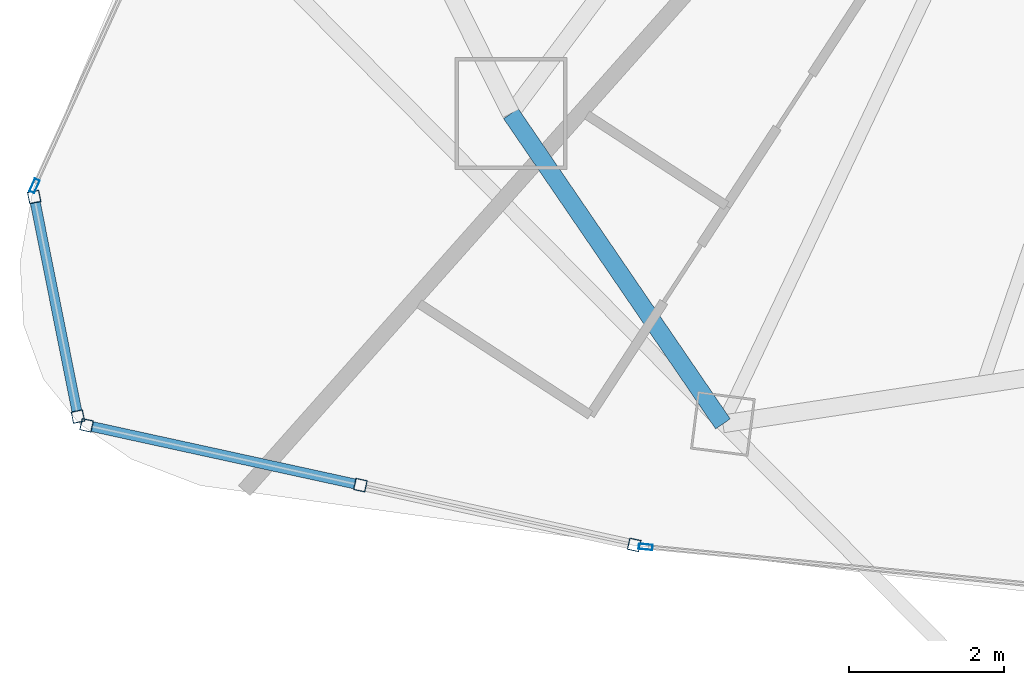
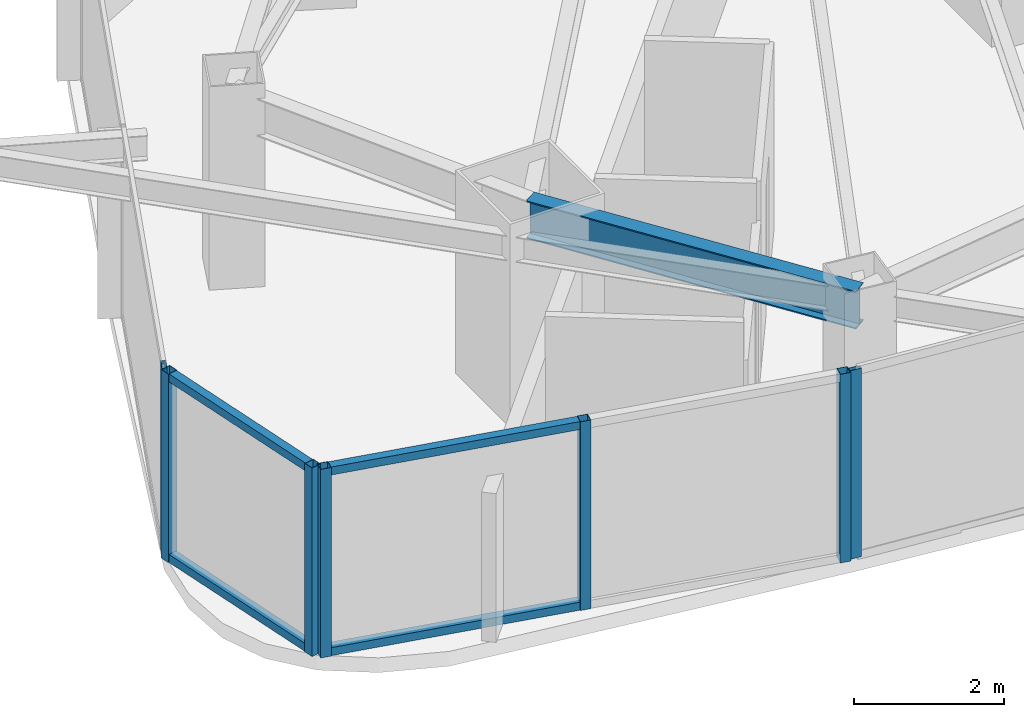
# One storey, part 2 of 31: 11 members, 1 beam, 4 elements without a shape of their own.
"""IFC4 building model written with IfcOpenShell, lengths in metres."""

import ifcopenshell
import ifcopenshell.guid

model = None  # the IFC model being written
_history = None  # IfcOwnerHistory: only IFC2X3 demands one
_inside = {}  # id of a spatial element -> (the spatial element, [elements in it])
_under = {}  # id of a project, library or spatial element -> (it, [spatial elements below it])
_declared = {}  # id of a project -> (the project, [libraries it declares])
_typed = {}  # id of a type object -> (the type object, [elements of that type])
_made_of = {}  # id of a material, layer set ... -> (it, [elements and type objects made of it])


def new_model(schema):
    """Start an empty IFC model of exactly this schema.

    Asked for "IFC4X3", IfcOpenShell would pick the latest addendum, in which some entities
    have other attributes; the version numbers below select the first issue.
    IFC2X3 requires an IfcOwnerHistory on every rooted entity: one is made here for all.
    """
    global model, _history
    if schema == "IFC4X3":
        model = ifcopenshell.file(schema_version=(4, 3, 0, 0))
    else:
        model = ifcopenshell.file(schema=schema)
    _inside.clear()
    _under.clear()
    _declared.clear()
    _typed.clear()
    _made_of.clear()
    _history = None
    if model.schema == "IFC2X3":
        org = make("IfcOrganization", Name="unknown")
        user = make(
            "IfcPersonAndOrganization",
            ThePerson=make("IfcPerson", FamilyName="unknown"),
            TheOrganization=org,
        )
        app = make(
            "IfcApplication",
            ApplicationDeveloper=org,
            Version="unknown",
            ApplicationFullName="unknown",
            ApplicationIdentifier="unknown",
        )
        _history = make(
            "IfcOwnerHistory",
            OwningUser=user,
            OwningApplication=app,
            ChangeAction="ADDED",
            CreationDate=0,
        )
    return model


def make(cls, **values):
    """One entity of the class cls with the attributes given. An attribute that is None is left unset."""
    return model.create_entity(
        cls, **{name: value for name, value in values.items() if value is not None}
    )


def rooted(cls, **values):
    """An entity with a GlobalId (a new one), such as an element, a storey or a relation."""
    return make(cls, GlobalId=ifcopenshell.guid.new(), OwnerHistory=_history, **values)


def si_unit(unit_type, name, prefix=None):
    """IfcSIUnit, for example si_unit("LENGTHUNIT", "METRE", prefix="MILLI")."""
    return make("IfcSIUnit", UnitType=unit_type, Prefix=prefix, Name=name)


def assignment(units):
    """IfcUnitAssignment: the units of a project."""
    return None if units is None else make("IfcUnitAssignment", Units=units)


def point(xyz):
    """IfcCartesianPoint."""
    return None if xyz is None else make("IfcCartesianPoint", Coordinates=xyz)


def direction(xyz):
    """IfcDirection."""
    return None if xyz is None else make("IfcDirection", DirectionRatios=xyz)


def frame(location, z_axis=None, x_axis=None):
    """IfcAxis2Placement3D, a coordinate frame: its origin and axes. An axis left out is left unset."""
    return make(
        "IfcAxis2Placement3D",
        Location=point(location),
        Axis=direction(z_axis),
        RefDirection=direction(x_axis),
    )


def frame_2d(location, x_axis=None):
    """IfcAxis2Placement2D, a coordinate frame in the plane: its origin and x axis."""
    return make(
        "IfcAxis2Placement2D", Location=point(location), RefDirection=direction(x_axis)
    )


def origin():
    """The frame at (0, 0, 0) with its axes left unset."""
    return frame((0.0, 0.0, 0.0))


def origin_2d():
    """The frame at (0, 0) in the plane with its x axis left unset."""
    return frame_2d((0.0, 0.0))


def place(relative_to, where):
    """IfcLocalPlacement: puts the frame where relative to a parent placement (None: the world)."""
    return make(
        "IfcLocalPlacement", PlacementRelTo=relative_to, RelativePlacement=where
    )


def context(
    kind, dimensions, precision=None, world=None, true_north=None, identifier=None
):
    """IfcGeometricRepresentationContext, for example the 3D "Model" context."""
    return make(
        "IfcGeometricRepresentationContext",
        ContextIdentifier=identifier,
        ContextType=kind,
        CoordinateSpaceDimension=dimensions,
        Precision=precision,
        WorldCoordinateSystem=world,
        TrueNorth=true_north,
    )


def subcontext(parent, identifier, kind, view, scale=None):
    """IfcGeometricRepresentationSubContext, for example "Body" below "Model"."""
    return make(
        "IfcGeometricRepresentationSubContext",
        ContextIdentifier=identifier,
        ContextType=kind,
        ParentContext=parent,
        TargetScale=scale,
        TargetView=view,
    )


def project(units=None, contexts=None):
    """IfcProject with its units and contexts."""
    return rooted(
        "IfcProject",
        Name="project",
        RepresentationContexts=contexts,
        UnitsInContext=assignment(units),
    )


def spatial(cls, under=None, at=None, **own):
    """A site, building, storey or space (cls), placed at a placement, below another one or the project."""
    s = rooted(cls, ObjectPlacement=at, **own)
    if under is not None:
        _under.setdefault(under.id(), (under, []))[1].append(s)
    return s


def profile(cls, at=None, kind="AREA", **sizes):
    """A parametric profile (cls). Its sizes go by their IFC names, for example OverallWidth=200.0."""
    return make(cls, ProfileType=kind, Position=at, **sizes)


def hollow_rectangle(**sizes):
    """IfcRectangleHollowProfileDef."""
    return profile("IfcRectangleHollowProfileDef", **sizes)


def i_section(**sizes):
    """IfcIShapeProfileDef."""
    return profile("IfcIShapeProfileDef", **sizes)


def extrude(swept, where, along, depth):
    """IfcExtrudedAreaSolid: the profile swept, set in the frame where, extruded along a direction by depth."""
    return make(
        "IfcExtrudedAreaSolid",
        SweptArea=swept,
        Position=where,
        ExtrudedDirection=direction(along),
        Depth=depth,
    )


def shape(context_of_items, identifier, shape_type, items):
    """IfcShapeRepresentation: the items that make up one representation, for example the "Body"."""
    return make(
        "IfcShapeRepresentation",
        ContextOfItems=context_of_items,
        RepresentationIdentifier=identifier,
        RepresentationType=shape_type,
        Items=items,
    )


def material(Name=None, Category=None):
    """IfcMaterial."""
    return make("IfcMaterial", Name=Name, Category=Category)


def layer(
    of_material, thickness, ventilated=None, Name=None, Category=None, Priority=None
):
    """IfcMaterialLayer: one layer of a wall or slab, of a material (None: an air gap)."""
    return make(
        "IfcMaterialLayer",
        Material=of_material,
        LayerThickness=thickness,
        IsVentilated=ventilated,
        Name=Name,
        Category=Category,
        Priority=Priority,
    )


def layer_set(layers, Name=None):
    """IfcMaterialLayerSet."""
    return make("IfcMaterialLayerSet", MaterialLayers=layers, LayerSetName=Name)


def material_profile(
    of_material, cross_section, Name=None, Category=None, Priority=None
):
    """IfcMaterialProfile: a cross section and its material."""
    return make(
        "IfcMaterialProfile",
        Name=Name,
        Material=of_material,
        Profile=cross_section,
        Priority=Priority,
        Category=Category,
    )


def profile_set(profiles, Name=None, composite=None):
    """IfcMaterialProfileSet."""
    return make(
        "IfcMaterialProfileSet",
        Name=Name,
        MaterialProfiles=profiles,
        CompositeProfile=composite,
    )


def made_of(thing, what):
    """Note that an element or type object is made of a material, layer set ...; save() writes the relation."""
    if what is not None:
        _made_of.setdefault(what.id(), (what, []))[1].append(thing)
    return thing


def type_object(cls, material=None, **own):
    """A type object (cls), such as IfcWallType, which elements share."""
    return made_of(rooted(cls, **own), material)


def element(
    cls,
    number,
    at=None,
    inside=None,
    cuts=None,
    type_object=None,
    material=None,
    context=None,
    identifier="Body",
    shape_type=None,
    held_by="IfcProductDefinitionShape",
    body=None,
    shapes=None,
    **own,
):
    """One element of the class cls, such as IfcWall. Its Tag is "e" and its number.

    at: its placement. inside: the storey or other place that contains it. cuts: it is an
    opening in that element (IfcRelVoidsElement). A single representation is given by context,
    identifier, shape_type and body (its items); several are given by shapes. held_by: the class
    of the entity that holds the representations. save() writes the other relations.
    """
    e = rooted(cls, Tag="e%d" % number, ObjectPlacement=at, **own)
    if body is not None:
        shapes = [shape(context, identifier, shape_type, body)]
    if shapes is not None:
        e.Representation = make(held_by, Representations=shapes)
    if inside is not None:
        _inside.setdefault(inside.id(), (inside, []))[1].append(e)
    if cuts is not None:
        rooted(
            "IfcRelVoidsElement", RelatingBuildingElement=cuts, RelatedOpeningElement=e
        )
    if type_object is not None:
        _typed.setdefault(type_object.id(), (type_object, []))[1].append(e)
    return made_of(e, material)


def aggregate(whole, parts):
    """IfcRelAggregates: a whole, such as a stair, and the parts it consists of."""
    return rooted("IfcRelAggregates", RelatingObject=whole, RelatedObjects=parts)


def save(model, path):
    """Write the relations noted so far, then the file.

    IfcRelAggregates (storeys below a building ...), IfcRelContainedInSpatialStructure (elements
    in a storey), IfcRelDefinesByType, IfcRelAssociatesMaterial and IfcRelDeclares: one each for
    every whole, place, type object, material and project.
    """
    for whole, parts in _under.values():
        aggregate(whole, parts)
    for where, things in _inside.values():
        rooted(
            "IfcRelContainedInSpatialStructure",
            RelatedElements=things,
            RelatingStructure=where,
        )
    for kind, things in _typed.values():
        rooted("IfcRelDefinesByType", RelatedObjects=things, RelatingType=kind)
    for what, things in _made_of.values():
        rooted("IfcRelAssociatesMaterial", RelatedObjects=things, RelatingMaterial=what)
    for by, libraries in _declared.values():
        rooted("IfcRelDeclares", RelatingContext=by, RelatedDefinitions=libraries)
    model.write(path)


model = new_model("IFC4")

# Units and contexts
model_context = context("Model", 3, precision=1e-05, world=origin(), true_north=direction((0.0, 1.0)))
body_context = subcontext(model_context, "Body", "Model", "MODEL_VIEW")
ifc_project = project(units=[si_unit("LENGTHUNIT", "METRE"), si_unit("AREAUNIT", "SQUARE_METRE"), si_unit("VOLUMEUNIT", "CUBIC_METRE"), si_unit("PLANEANGLEUNIT", "RADIAN"), si_unit("MASSUNIT", "GRAM", prefix="KILO")], contexts=[model_context])

# Site, building, storey
site_placement = place(None, origin())
site = spatial("IfcSite", under=ifc_project, at=site_placement, CompositionType="ELEMENT")
building_placement = place(site_placement, origin())
building = spatial("IfcBuilding", under=site, at=building_placement, Name="Orvanel Arch Residences", CompositionType="ELEMENT")
storey_placement = place(building_placement, frame((0.0, 0.0, 153.949951171875)))
storey = spatial("IfcBuildingStorey", under=building, at=storey_placement, Name="L43", CompositionType="ELEMENT", Elevation=153.949951171875)

# Curtain wall, members
ifc_material_1 = material(Name="Bronze-anodised aluminium AA6063-T6", Category="aluminium")
ifc_layer_1 = layer(ifc_material_1, 0.18994140625)
ifc_layer_set_1 = layer_set([ifc_layer_1], Name="Bronze-anodised aluminium AA6063-T6")
curtain_wall_type_1 = type_object("IfcCurtainWallType", Name="CW5-CRN-SYS", PredefinedType="NOTDEFINED", material=ifc_layer_set_1)
curtain_wall_1_placement = place(storey_placement, origin())
curtain_wall_1 = element("IfcCurtainWall", 1, at=curtain_wall_1_placement, inside=storey, type_object=curtain_wall_type_1, Name="L43 CW5-CRN-SYS Unitised Curtain Wall", PredefinedType="NOTDEFINED")
ifc_material_profile_1 = material_profile(ifc_material_1, hollow_rectangle(XDim=0.14990234375, YDim=0.14990234375, WallThickness=0.0048828125, at=origin_2d()), Name="ALU150x150x5")
ifc_profile_set_1 = profile_set([ifc_material_profile_1], Name="Bronze-anodised aluminium AA6063-T6")
member_type_1 = type_object("IfcMemberType", Name="MUL-150x150", PredefinedType="MULLION", material=ifc_profile_set_1)
member_1_placement = place(storey_placement, frame((8.03466796875, 9.2734375, 0.0), z_axis=(0.0, 0.0, 1.0), x_axis=(0.980731921459, 0.195358384081, 0.0)))
member_1 = element("IfcMember", 2, at=member_1_placement, type_object=member_type_1, Name="CW-S5 mullion 1", PredefinedType="MULLION", context=body_context, shape_type="SweptSolid", body=[
    extrude(hollow_rectangle(XDim=0.14990234375, YDim=0.14990234375, WallThickness=0.0048828125, at=origin_2d()), origin(), (0.0, 0.0, 1.0), 3.06005859375),
])
member_2_placement = place(storey_placement, frame((8.600341796875, 6.43359375, 0.0), z_axis=(0.0, 0.0, 1.0), x_axis=(0.980731921459, 0.195358384081, 0.0)))
member_2 = element("IfcMember", 3, at=member_2_placement, type_object=member_type_1, Name="CW-S5 mullion 2", PredefinedType="MULLION", context=body_context, shape_type="SweptSolid", body=[
    extrude(hollow_rectangle(XDim=0.14990234375, YDim=0.14990234375, WallThickness=0.0048828125, at=origin_2d()), origin(), (0.0, 0.0, 1.0), 3.06005859375),
])

curtain_wall_2_placement = place(storey_placement, origin())
curtain_wall_2 = element("IfcCurtainWall", 4, at=curtain_wall_2_placement, inside=storey, type_object=curtain_wall_type_1, Name="L43 CW5-CRN-SYS Unitised Curtain Wall", PredefinedType="NOTDEFINED")
member_3_placement = place(storey_placement, frame((8.712158203125, 6.320068359375, 0.0), z_axis=(0.0, 0.0, 1.0), x_axis=(0.213293752637, 0.976988114097, 0.0)))
member_3 = element("IfcMember", 5, at=member_3_placement, type_object=member_type_1, Name="CW-S5 mullion 1", PredefinedType="MULLION", context=body_context, shape_type="SweptSolid", body=[
    extrude(hollow_rectangle(XDim=0.14990234375, YDim=0.14990234375, WallThickness=0.0048828125, at=origin_2d()), origin(), (0.0, 0.0, 1.0), 3.06005859375),
])
member_4_placement = place(storey_placement, frame((12.2529296875, 5.547119140625, 0.0), z_axis=(0.0, 0.0, 1.0), x_axis=(0.213293752637, 0.976988114097, 0.0)))
member_4 = element("IfcMember", 6, at=member_4_placement, type_object=member_type_1, Name="CW-S5 mullion 2", PredefinedType="MULLION", context=body_context, shape_type="SweptSolid", body=[
    extrude(hollow_rectangle(XDim=0.14990234375, YDim=0.14990234375, WallThickness=0.0048828125, at=origin_2d()), origin(), (0.0, 0.0, 1.0), 3.06005859375),
])
member_5_placement = place(storey_placement, frame((15.793701171875, 4.77392578125, 0.0), z_axis=(0.0, 0.0, 1.0), x_axis=(0.213293752637, 0.976988114097, 0.0)))
member_5 = element("IfcMember", 7, at=member_5_placement, type_object=member_type_1, Name="CW-S5 mullion 3", PredefinedType="MULLION", context=body_context, shape_type="SweptSolid", body=[
    extrude(hollow_rectangle(XDim=0.14990234375, YDim=0.14990234375, WallThickness=0.0048828125, at=origin_2d()), origin(), (0.0, 0.0, 1.0), 3.06005859375),
])

# Curtain wall, member
ifc_layer_2 = layer(ifc_material_1, 0.179931640625)
ifc_layer_set_2 = layer_set([ifc_layer_2], Name="Bronze-anodised aluminium AA6063-T6")
curtain_wall_type_2 = type_object("IfcCurtainWallType", Name="CW3-MID-SYS", PredefinedType="NOTDEFINED", material=ifc_layer_set_2)
curtain_wall_3_placement = place(storey_placement, origin())
curtain_wall_3 = element("IfcCurtainWall", 8, at=curtain_wall_3_placement, inside=storey, type_object=curtain_wall_type_2, Name="L43 CW3-MID-SYS Unitised Curtain Wall", PredefinedType="NOTDEFINED")
ifc_material_profile_2 = material_profile(ifc_material_1, hollow_rectangle(XDim=0.070068359375, YDim=0.179931640625, WallThickness=0.00439453125, at=origin_2d()), Name="ALU180x70x4.5")
ifc_profile_set_2 = profile_set([ifc_material_profile_2], Name="Bronze-anodised aluminium AA6063-T6")
member_type_2 = type_object("IfcMemberType", Name="MUL-180x70", PredefinedType="MULLION", material=ifc_profile_set_2)
member_6_placement = place(storey_placement, frame((8.03857421875, 9.4169921875, 0.0), z_axis=(0.0, 0.0, 1.0), x_axis=(0.910648730279, -0.413181425091, 0.0)))
member_6 = element("IfcMember", 9, at=member_6_placement, type_object=member_type_2, Name="CW-S3 mullion 4", PredefinedType="MULLION", context=body_context, shape_type="SweptSolid", body=[
    extrude(hollow_rectangle(XDim=0.070068359375, YDim=0.179931640625, WallThickness=0.00439453125, at=origin_2d()), origin(), (0.0, 0.0, 1.0), 3.06005859375),
])
aggregate(curtain_wall_3, [member_6])

curtain_wall_4_placement = place(storey_placement, origin())
curtain_wall_4 = element("IfcCurtainWall", 10, at=curtain_wall_4_placement, inside=storey, type_object=curtain_wall_type_2, Name="L43 CW3-MID-SYS Unitised Curtain Wall", PredefinedType="NOTDEFINED")
member_7_placement = place(storey_placement, frame((15.94189453125, 4.74853515625, 0.0), z_axis=(0.0, 0.0, 1.0), x_axis=(0.097085158831, 0.995276078249, 0.0)))
member_7 = element("IfcMember", 11, at=member_7_placement, type_object=member_type_2, Name="CW-S3 mullion 1", PredefinedType="MULLION", context=body_context, shape_type="SweptSolid", body=[
    extrude(hollow_rectangle(XDim=0.070068359375, YDim=0.179931640625, WallThickness=0.00439453125, at=origin_2d()), origin(), (0.0, 0.0, 1.0), 3.06005859375),
])
aggregate(curtain_wall_4, [member_7])

# Beam
ifc_material_2 = material(Name="Structural steel AS/NZS 3679.1 Grade 300 (300 MPa)", Category="steel")
ifc_material_profile_3 = material_profile(ifc_material_2, i_section(OverallWidth=0.22900390625, OverallDepth=0.612060546875, WebThickness=0.011962890625, FlangeThickness=0.01953125, at=origin_2d()), Name="610UB125")
ifc_profile_set_3 = profile_set([ifc_material_profile_3], Name="Structural steel AS/NZS 3679.1 Grade 300 (300 MPa)")
beam_type = type_object("IfcBeamType", Name="SP-610UB", PredefinedType="SPANDREL", material=ifc_profile_set_3)
beam_placement = place(storey_placement, frame((14.198974609375, 10.35107421875, 2.754150390625), z_axis=(0.564251579852, -0.825602903722, 0.0), x_axis=(0.825602903722, 0.564251579852, 0.0)))
element("IfcBeam", 12, at=beam_placement, inside=storey, type_object=beam_type, Name="L43 Perimeter Spandrel Beam 03", PredefinedType="SPANDREL", context=body_context, shape_type="SweptSolid", body=[
    extrude(i_section(OverallWidth=0.22900390625, OverallDepth=0.612060546875, WebThickness=0.011962890625, FlangeThickness=0.01953125, at=origin_2d()), origin(), (0.0, 0.0, 1.0), 4.859375),
])

# Member
ifc_material_profile_4 = material_profile(ifc_material_1, hollow_rectangle(XDim=0.1298828125, YDim=0.1298828125, WallThickness=0.00439453125, at=origin_2d()), Name="ALU130x130x4.5")
ifc_profile_set_4 = profile_set([ifc_material_profile_4], Name="Bronze-anodised aluminium AA6063-T6")
member_type_3 = type_object("IfcMemberType", Name="TRN-130x130", PredefinedType="USERDEFINED", material=ifc_profile_set_4)
member_8_placement = place(storey_placement, frame((8.04931640625, 9.199951171875, 0.06494140625), z_axis=(0.195346616604, -0.980734265426, 0.0), x_axis=(0.980734265426, 0.195346616604, 0.0)))
member_8 = element("IfcMember", 13, at=member_8_placement, type_object=member_type_3, Name="CW-S5 transom 1.1", ObjectType="TRANSOM", PredefinedType="USERDEFINED", context=body_context, shape_type="SweptSolid", body=[
    extrude(hollow_rectangle(XDim=0.1298828125, YDim=0.1298828125, WallThickness=0.00439453125, at=origin_2d()), origin(), (0.0, 0.0, 1.0), 2.745849609375),
])

member_9_placement = place(storey_placement, frame((8.04931640625, 9.199951171875, 2.9951171875), z_axis=(0.195346616604, -0.980734265426, 0.0), x_axis=(0.980734265426, 0.195346616604, 0.0)))
member_9 = element("IfcMember", 14, at=member_9_placement, type_object=member_type_3, Name="CW-S5 transom 1.2", ObjectType="TRANSOM", PredefinedType="USERDEFINED", context=body_context, shape_type="SweptSolid", body=[
    extrude(hollow_rectangle(XDim=0.1298828125, YDim=0.1298828125, WallThickness=0.00439453125, at=origin_2d()), origin(), (0.0, 0.0, 1.0), 2.745849609375),
])

aggregate(curtain_wall_1, [member_1, member_2, member_8, member_9])

member_10_placement = place(storey_placement, frame((8.78564453125, 6.303955078125, 0.06494140625), z_axis=(0.976988875906, -0.213290263154, 0.0), x_axis=(0.213290263154, 0.976988875906, 0.0)))
member_10 = element("IfcMember", 15, at=member_10_placement, type_object=member_type_3, Name="CW-S5 transom 1.1", ObjectType="TRANSOM", PredefinedType="USERDEFINED", context=body_context, shape_type="SweptSolid", body=[
    extrude(hollow_rectangle(XDim=0.1298828125, YDim=0.1298828125, WallThickness=0.00439453125, at=origin_2d()), origin(), (0.0, 0.0, 1.0), 3.473876953125),
])

member_11_placement = place(storey_placement, frame((8.78564453125, 6.303955078125, 2.9951171875), z_axis=(0.976988875906, -0.213290263154, 0.0), x_axis=(0.213290263154, 0.976988875906, 0.0)))
member_11 = element("IfcMember", 16, at=member_11_placement, type_object=member_type_3, Name="CW-S5 transom 1.2", ObjectType="TRANSOM", PredefinedType="USERDEFINED", context=body_context, shape_type="SweptSolid", body=[
    extrude(hollow_rectangle(XDim=0.1298828125, YDim=0.1298828125, WallThickness=0.00439453125, at=origin_2d()), origin(), (0.0, 0.0, 1.0), 3.473876953125),
])

aggregate(curtain_wall_2, [member_3, member_4, member_5, member_10, member_11])

save(model, "model.ifc")
